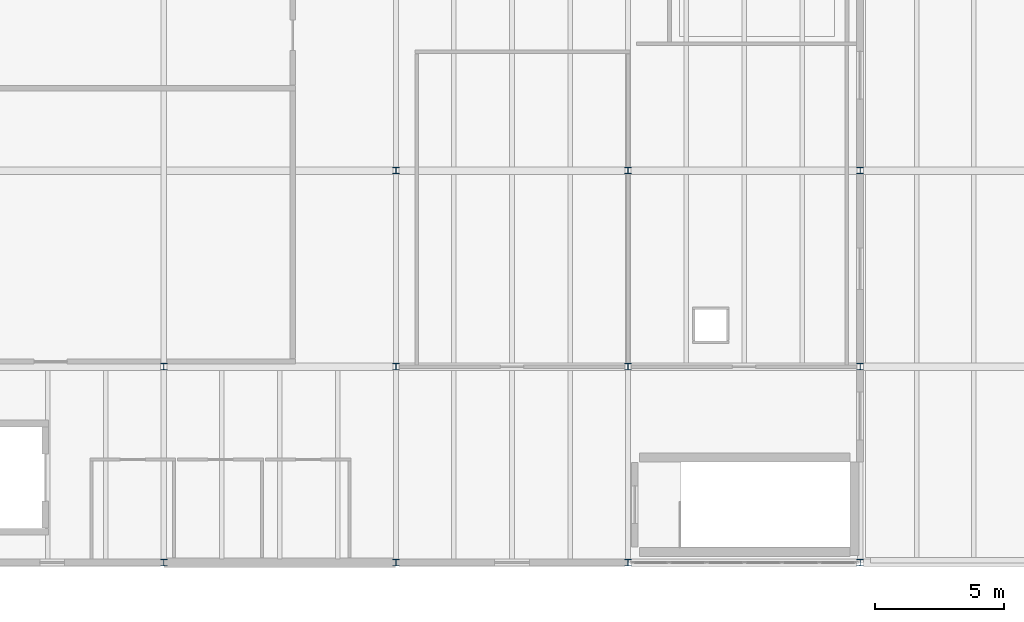
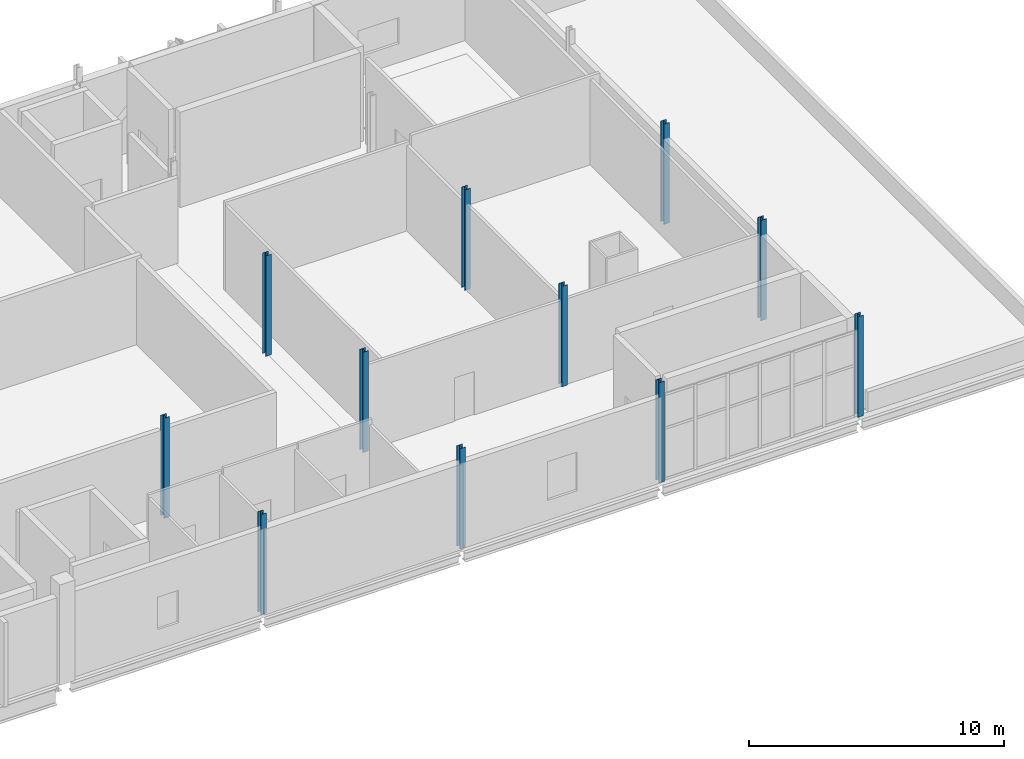
# One storey, part 2 of 14: 11 columns.
"""IFC4 building model written with IfcOpenShell, lengths in metres."""

from ifc_helpers import new_model, si_unit, direction, frame, origin, origin_2d, place, context, subcontext, project, spatial, i_section, extrude, material, material_profile, profile_set, type_object, element, save


model = new_model("IFC4")

# Units and contexts
model_context = context("Model", 3, precision=1e-05, world=origin(), true_north=direction((0.0, 1.0)))
body_context = subcontext(model_context, "Body", "Model", "MODEL_VIEW")
ifc_project = project(units=[si_unit("LENGTHUNIT", "METRE"), si_unit("AREAUNIT", "SQUARE_METRE"), si_unit("VOLUMEUNIT", "CUBIC_METRE"), si_unit("PLANEANGLEUNIT", "RADIAN"), si_unit("MASSUNIT", "GRAM", prefix="KILO")], contexts=[model_context])

# Site, building, storey
site_placement = place(None, origin())
site = spatial("IfcSite", under=ifc_project, at=site_placement, CompositionType="ELEMENT")
building_placement = place(site_placement, origin())
building = spatial("IfcBuilding", under=site, at=building_placement, Name="Shengluoqiao Park Theatre", CompositionType="ELEMENT")
storey_placement = place(building_placement, frame((0.0, 0.0, 23.800048828125)))
storey = spatial("IfcBuildingStorey", under=building, at=storey_placement, Name="L05", CompositionType="ELEMENT", Elevation=23.800048828125)

# Columns
ifc_material = material(Name="Steel Q355", Category="steel")
ifc_material_profile = material_profile(ifc_material, i_section(OverallWidth=0.25, OverallDepth=0.25, WebThickness=0.009033203125, FlangeThickness=0.013916015625, FilletRadius=0.01611328125, at=origin_2d()), Name="HW 250x250x9x14")
ifc_profile_set = profile_set([ifc_material_profile], Name="Steel Q355")
column_type = type_object("IfcColumnType", Name="STR-COL-C-HW250", PredefinedType="COLUMN", material=ifc_profile_set)
for number, where, z_axis, x_axis, name in (
    (1, (121.39990234375, 84.0, 0.0), (0.0, 0.0, 1.0), (1.0, 0.0, 0.0), "L05 Column 0599"),
    (2, (121.39990234375, 91.60009765625, 0.0), (0.0, 0.0, 1.0), (1.0, 0.0, 0.0), "L05 Column 0606"),
    (3, (130.39990234375, 84.0, 0.0), (0.0, 0.0, 1.0), (1.0, 0.0, 0.0), "L05 Column 0641"),
    (4, (130.39990234375, 91.60009765625, 0.0), (0.0, 0.0, 1.0), (1.0, 0.0, 0.0), "L05 Column 0648"),
    (5, (130.39990234375, 99.199951171875, 0.0), (0.0, 0.0, 1.0), (1.0, 0.0, 0.0), "L05 Column 0655"),
    (6, (139.39990234375, 84.0, 0.0), (0.0, 0.0, 1.0), (1.0, 0.0, 0.0), "L05 Column 0686"),
    (7, (139.39990234375, 91.60009765625, 0.0), (0.0, 0.0, 1.0), (1.0, 0.0, 0.0), "L05 Column 0693"),
    (8, (139.39990234375, 99.199951171875, 0.0), (0.0, 0.0, 1.0), (1.0, 0.0, 0.0), "L05 Column 0700"),
    (9, (148.39990234375, 84.0, 0.0), (0.0, 0.0, 1.0), (1.0, 0.0, 0.0), "L05 Column 0743"),
    (10, (148.39990234375, 91.60009765625, 0.0), (0.0, 0.0, 1.0), (1.0, 0.0, 0.0), "L05 Column 0750"),
    (11, (148.39990234375, 99.199951171875, 0.0), (0.0, 0.0, 1.0), (1.0, 0.0, 0.0), "L05 Column 0757"),
):
    element("IfcColumn", number, at=place(storey_placement, frame(where, z_axis=z_axis, x_axis=x_axis)), inside=storey, type_object=column_type, Name=name, PredefinedType="COLUMN", context=body_context, shape_type="SweptSolid", body=[
        extrude(i_section(OverallWidth=0.25, OverallDepth=0.25, WebThickness=0.009033203125, FlangeThickness=0.013916015625, FilletRadius=0.01611328125, at=origin_2d()), origin(), (0.0, 0.0, 1.0), 4.800048828125),
    ])

save(model, "model.ifc")
